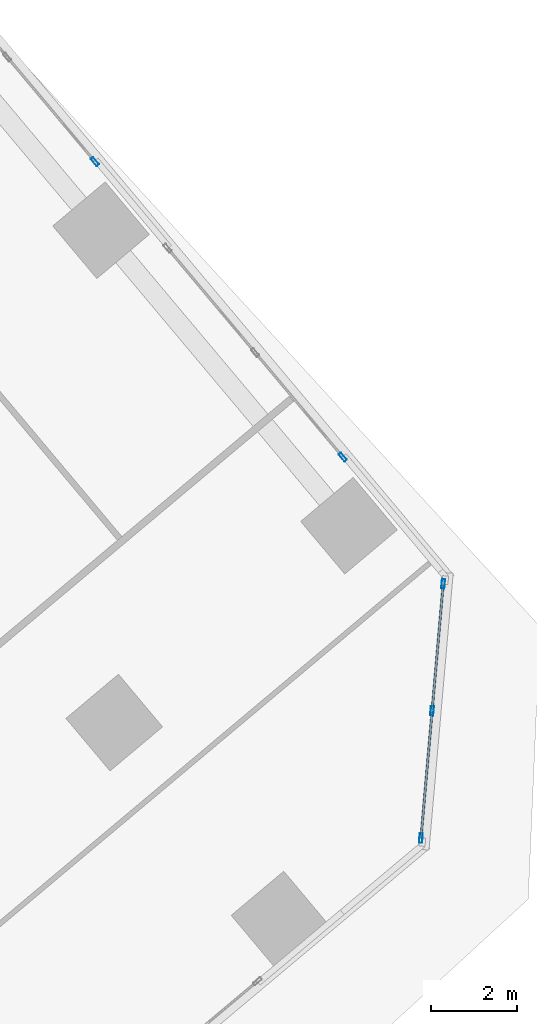
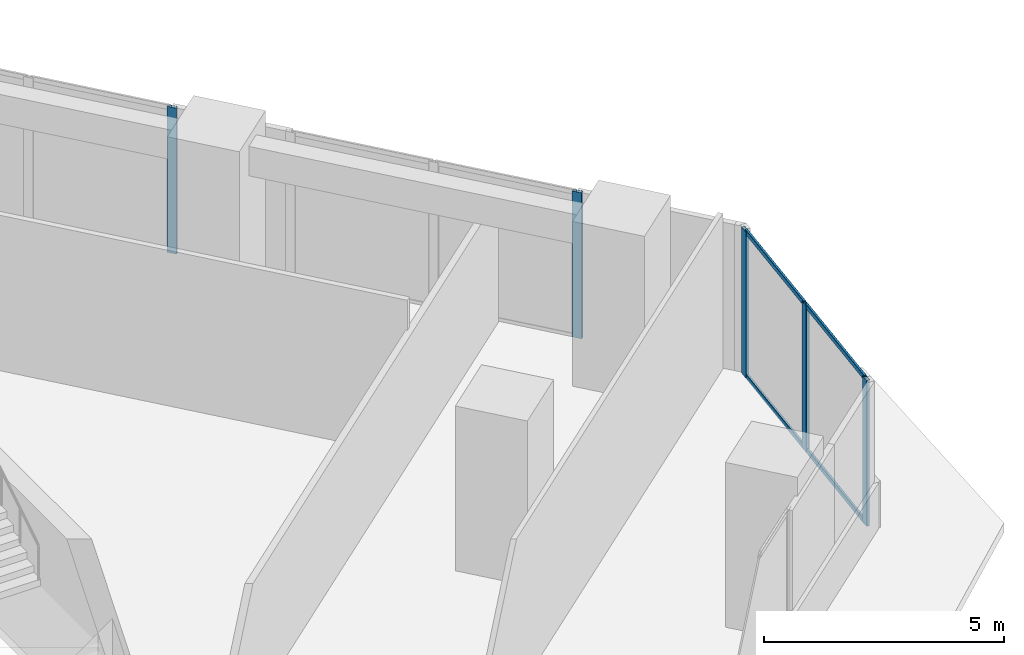
# One storey, part 6 of 17: 9 members, 3 elements without a shape of their own.
"""IFC4 building model written with IfcOpenShell, lengths in metres."""

import ifcopenshell
import ifcopenshell.guid

model = None  # the IFC model being written
_history = None  # IfcOwnerHistory: only IFC2X3 demands one
_inside = {}  # id of a spatial element -> (the spatial element, [elements in it])
_under = {}  # id of a project, library or spatial element -> (it, [spatial elements below it])
_declared = {}  # id of a project -> (the project, [libraries it declares])
_typed = {}  # id of a type object -> (the type object, [elements of that type])
_made_of = {}  # id of a material, layer set ... -> (it, [elements and type objects made of it])


def new_model(schema):
    """Start an empty IFC model of exactly this schema.

    Asked for "IFC4X3", IfcOpenShell would pick the latest addendum, in which some entities
    have other attributes; the version numbers below select the first issue.
    IFC2X3 requires an IfcOwnerHistory on every rooted entity: one is made here for all.
    """
    global model, _history
    if schema == "IFC4X3":
        model = ifcopenshell.file(schema_version=(4, 3, 0, 0))
    else:
        model = ifcopenshell.file(schema=schema)
    _inside.clear()
    _under.clear()
    _declared.clear()
    _typed.clear()
    _made_of.clear()
    _history = None
    if model.schema == "IFC2X3":
        org = make("IfcOrganization", Name="unknown")
        user = make(
            "IfcPersonAndOrganization",
            ThePerson=make("IfcPerson", FamilyName="unknown"),
            TheOrganization=org,
        )
        app = make(
            "IfcApplication",
            ApplicationDeveloper=org,
            Version="unknown",
            ApplicationFullName="unknown",
            ApplicationIdentifier="unknown",
        )
        _history = make(
            "IfcOwnerHistory",
            OwningUser=user,
            OwningApplication=app,
            ChangeAction="ADDED",
            CreationDate=0,
        )
    return model


def make(cls, **values):
    """One entity of the class cls with the attributes given. An attribute that is None is left unset."""
    return model.create_entity(
        cls, **{name: value for name, value in values.items() if value is not None}
    )


def rooted(cls, **values):
    """An entity with a GlobalId (a new one), such as an element, a storey or a relation."""
    return make(cls, GlobalId=ifcopenshell.guid.new(), OwnerHistory=_history, **values)


def si_unit(unit_type, name, prefix=None):
    """IfcSIUnit, for example si_unit("LENGTHUNIT", "METRE", prefix="MILLI")."""
    return make("IfcSIUnit", UnitType=unit_type, Prefix=prefix, Name=name)


def assignment(units):
    """IfcUnitAssignment: the units of a project."""
    return None if units is None else make("IfcUnitAssignment", Units=units)


def point(xyz):
    """IfcCartesianPoint."""
    return None if xyz is None else make("IfcCartesianPoint", Coordinates=xyz)


def direction(xyz):
    """IfcDirection."""
    return None if xyz is None else make("IfcDirection", DirectionRatios=xyz)


def frame(location, z_axis=None, x_axis=None):
    """IfcAxis2Placement3D, a coordinate frame: its origin and axes. An axis left out is left unset."""
    return make(
        "IfcAxis2Placement3D",
        Location=point(location),
        Axis=direction(z_axis),
        RefDirection=direction(x_axis),
    )


def frame_2d(location, x_axis=None):
    """IfcAxis2Placement2D, a coordinate frame in the plane: its origin and x axis."""
    return make(
        "IfcAxis2Placement2D", Location=point(location), RefDirection=direction(x_axis)
    )


def origin():
    """The frame at (0, 0, 0) with its axes left unset."""
    return frame((0.0, 0.0, 0.0))


def origin_2d():
    """The frame at (0, 0) in the plane with its x axis left unset."""
    return frame_2d((0.0, 0.0))


def place(relative_to, where):
    """IfcLocalPlacement: puts the frame where relative to a parent placement (None: the world)."""
    return make(
        "IfcLocalPlacement", PlacementRelTo=relative_to, RelativePlacement=where
    )


def context(
    kind, dimensions, precision=None, world=None, true_north=None, identifier=None
):
    """IfcGeometricRepresentationContext, for example the 3D "Model" context."""
    return make(
        "IfcGeometricRepresentationContext",
        ContextIdentifier=identifier,
        ContextType=kind,
        CoordinateSpaceDimension=dimensions,
        Precision=precision,
        WorldCoordinateSystem=world,
        TrueNorth=true_north,
    )


def subcontext(parent, identifier, kind, view, scale=None):
    """IfcGeometricRepresentationSubContext, for example "Body" below "Model"."""
    return make(
        "IfcGeometricRepresentationSubContext",
        ContextIdentifier=identifier,
        ContextType=kind,
        ParentContext=parent,
        TargetScale=scale,
        TargetView=view,
    )


def project(units=None, contexts=None):
    """IfcProject with its units and contexts."""
    return rooted(
        "IfcProject",
        Name="project",
        RepresentationContexts=contexts,
        UnitsInContext=assignment(units),
    )


def spatial(cls, under=None, at=None, **own):
    """A site, building, storey or space (cls), placed at a placement, below another one or the project."""
    s = rooted(cls, ObjectPlacement=at, **own)
    if under is not None:
        _under.setdefault(under.id(), (under, []))[1].append(s)
    return s


def profile(cls, at=None, kind="AREA", **sizes):
    """A parametric profile (cls). Its sizes go by their IFC names, for example OverallWidth=200.0."""
    return make(cls, ProfileType=kind, Position=at, **sizes)


def hollow_rectangle(**sizes):
    """IfcRectangleHollowProfileDef."""
    return profile("IfcRectangleHollowProfileDef", **sizes)


def extrude(swept, where, along, depth):
    """IfcExtrudedAreaSolid: the profile swept, set in the frame where, extruded along a direction by depth."""
    return make(
        "IfcExtrudedAreaSolid",
        SweptArea=swept,
        Position=where,
        ExtrudedDirection=direction(along),
        Depth=depth,
    )


def shape(context_of_items, identifier, shape_type, items):
    """IfcShapeRepresentation: the items that make up one representation, for example the "Body"."""
    return make(
        "IfcShapeRepresentation",
        ContextOfItems=context_of_items,
        RepresentationIdentifier=identifier,
        RepresentationType=shape_type,
        Items=items,
    )


def source(mapping_origin, context_of_items, identifier, shape_type, items):
    """IfcRepresentationMap: a shape defined once, which mapped items show again and again."""
    return make(
        "IfcRepresentationMap",
        MappingOrigin=mapping_origin,
        MappedRepresentation=shape(context_of_items, identifier, shape_type, items),
    )


def transform(
    local_origin,
    x_axis=None,
    y_axis=None,
    z_axis=None,
    scale=None,
    scale2=None,
    scale3=None,
    uniform=True,
):
    """IfcCartesianTransformationOperator3D, or its non-uniform kind. x_axis, y_axis, z_axis: its Axis1, 2, 3."""
    if uniform:
        return make(
            "IfcCartesianTransformationOperator3D",
            Axis1=direction(x_axis),
            Axis2=direction(y_axis),
            LocalOrigin=point(local_origin),
            Scale=scale,
            Axis3=direction(z_axis),
        )
    return make(
        "IfcCartesianTransformationOperator3DnonUniform",
        Axis1=direction(x_axis),
        Axis2=direction(y_axis),
        LocalOrigin=point(local_origin),
        Scale=scale,
        Axis3=direction(z_axis),
        Scale2=scale2,
        Scale3=scale3,
    )


def mapped(mapping_source, mapping_target):
    """IfcMappedItem: shows the shape of a source again, moved by a transform."""
    return make(
        "IfcMappedItem", MappingSource=mapping_source, MappingTarget=mapping_target
    )


def material(Name=None, Category=None):
    """IfcMaterial."""
    return make("IfcMaterial", Name=Name, Category=Category)


def material_profile(
    of_material, cross_section, Name=None, Category=None, Priority=None
):
    """IfcMaterialProfile: a cross section and its material."""
    return make(
        "IfcMaterialProfile",
        Name=Name,
        Material=of_material,
        Profile=cross_section,
        Priority=Priority,
        Category=Category,
    )


def profile_set(profiles, Name=None, composite=None):
    """IfcMaterialProfileSet."""
    return make(
        "IfcMaterialProfileSet",
        Name=Name,
        MaterialProfiles=profiles,
        CompositeProfile=composite,
    )


def made_of(thing, what):
    """Note that an element or type object is made of a material, layer set ...; save() writes the relation."""
    if what is not None:
        _made_of.setdefault(what.id(), (what, []))[1].append(thing)
    return thing


def type_object(cls, material=None, **own):
    """A type object (cls), such as IfcWallType, which elements share."""
    return made_of(rooted(cls, **own), material)


def element(
    cls,
    number,
    at=None,
    inside=None,
    cuts=None,
    type_object=None,
    material=None,
    context=None,
    identifier="Body",
    shape_type=None,
    held_by="IfcProductDefinitionShape",
    body=None,
    shapes=None,
    **own,
):
    """One element of the class cls, such as IfcWall. Its Tag is "e" and its number.

    at: its placement. inside: the storey or other place that contains it. cuts: it is an
    opening in that element (IfcRelVoidsElement). A single representation is given by context,
    identifier, shape_type and body (its items); several are given by shapes. held_by: the class
    of the entity that holds the representations. save() writes the other relations.
    """
    e = rooted(cls, Tag="e%d" % number, ObjectPlacement=at, **own)
    if body is not None:
        shapes = [shape(context, identifier, shape_type, body)]
    if shapes is not None:
        e.Representation = make(held_by, Representations=shapes)
    if inside is not None:
        _inside.setdefault(inside.id(), (inside, []))[1].append(e)
    if cuts is not None:
        rooted(
            "IfcRelVoidsElement", RelatingBuildingElement=cuts, RelatedOpeningElement=e
        )
    if type_object is not None:
        _typed.setdefault(type_object.id(), (type_object, []))[1].append(e)
    return made_of(e, material)


def aggregate(whole, parts):
    """IfcRelAggregates: a whole, such as a stair, and the parts it consists of."""
    return rooted("IfcRelAggregates", RelatingObject=whole, RelatedObjects=parts)


def save(model, path):
    """Write the relations noted so far, then the file.

    IfcRelAggregates (storeys below a building ...), IfcRelContainedInSpatialStructure (elements
    in a storey), IfcRelDefinesByType, IfcRelAssociatesMaterial and IfcRelDeclares: one each for
    every whole, place, type object, material and project.
    """
    for whole, parts in _under.values():
        aggregate(whole, parts)
    for where, things in _inside.values():
        rooted(
            "IfcRelContainedInSpatialStructure",
            RelatedElements=things,
            RelatingStructure=where,
        )
    for kind, things in _typed.values():
        rooted("IfcRelDefinesByType", RelatedObjects=things, RelatingType=kind)
    for what, things in _made_of.values():
        rooted("IfcRelAssociatesMaterial", RelatedObjects=things, RelatingMaterial=what)
    for by, libraries in _declared.values():
        rooted("IfcRelDeclares", RelatingContext=by, RelatedDefinitions=libraries)
    model.write(path)


model = new_model("IFC4")

# Units and contexts
model_context = context("Model", 3, precision=1e-05, world=origin(), true_north=direction((0.0, 1.0)))
body_context = subcontext(model_context, "Body", "Model", "MODEL_VIEW")
ifc_project = project(units=[si_unit("LENGTHUNIT", "METRE"), si_unit("AREAUNIT", "SQUARE_METRE"), si_unit("VOLUMEUNIT", "CUBIC_METRE"), si_unit("PLANEANGLEUNIT", "RADIAN"), si_unit("MASSUNIT", "GRAM", prefix="KILO")], contexts=[model_context])

# Site, building, storey
site_placement = place(None, origin())
site = spatial("IfcSite", under=ifc_project, at=site_placement, CompositionType="ELEMENT")
building_placement = place(site_placement, origin())
building = spatial("IfcBuilding", under=site, at=building_placement, Name="Torre Montelarca", CompositionType="ELEMENT")
storey_placement = place(building_placement, frame((0.0, 0.0, 266.800048828125)))
storey = spatial("IfcBuildingStorey", under=building, at=storey_placement, Name="L60", CompositionType="ELEMENT", Elevation=266.800048828125)

# Curtain wall, members
ifc_material_1 = material(Name="Insulated low-E laminated glass", Category="glass")
curtain_wall_type = type_object("IfcCurtainWallType", Name="CW-SYS-Z3", PredefinedType="USERDEFINED", material=ifc_material_1)
curtain_wall_1_placement = place(storey_placement, origin())
curtain_wall_1 = element("IfcCurtainWall", 1, at=curtain_wall_1_placement, inside=storey, type_object=curtain_wall_type, Name="L60 Curtain Wall Run CW-T3-L60-E07-B1", ObjectType="UNITISED GLAZING", PredefinedType="USERDEFINED")
ifc_material_2 = material(Name="Anodised aluminium AA 6063-T6", Category="aluminium")
ifc_material_profile_1 = material_profile(ifc_material_2, hollow_rectangle(XDim=0.054931640625, YDim=0.1201171875, WallThickness=0.00341796875, InnerFilletRadius=0.00341796875, OuterFilletRadius=0.007080078125, at=origin_2d()), Name="ALU55X120X3.5", Category="aluminium")
ifc_profile_set_1 = profile_set([ifc_material_profile_1], Name="Anodised aluminium AA 6063-T6")
member_type_1 = type_object("IfcMemberType", Name="CWT-ALU120", PredefinedType="USERDEFINED", material=ifc_profile_set_1)
shared_shape_1 = source(origin(), body_context, "Body", "SweptSolid", [
    extrude(hollow_rectangle(XDim=0.054931640625, YDim=0.1201171875, WallThickness=0.00341796875, InnerFilletRadius=0.00341796875, OuterFilletRadius=0.007080078125, at=origin_2d()), origin(), (0.0, 0.0, 1.0), 2.903564453125),
])
member_1_placement = place(storey_placement, frame((44.10986328125, 23.378662109375, 0.02734375), z_axis=(0.087191982893, 0.996191526826, 0.0), x_axis=(-0.996191526826, 0.087191982893, 0.0)))
member_1 = element("IfcMember", 2, at=member_1_placement, type_object=member_type_1, Name="CW transom 1.1", ObjectType="TRANSOM", PredefinedType="USERDEFINED", context=body_context, shape_type="MappedRepresentation", body=[
    mapped(shared_shape_1, transform((0.0, 0.0, 0.0), scale=1.0)),
])
member_2_placement = place(storey_placement, frame((44.10986328125, 23.378662109375, 3.6923828125), z_axis=(0.087191982893, 0.996191526826, 0.0), x_axis=(-0.996191526826, 0.087191982893, 0.0)))
member_2 = element("IfcMember", 3, at=member_2_placement, type_object=member_type_1, Name="CW transom 1.2", ObjectType="TRANSOM", PredefinedType="USERDEFINED", context=body_context, shape_type="MappedRepresentation", body=[
    mapped(shared_shape_1, transform((0.0, 0.0, 0.0), scale=1.0)),
])
shared_shape_2 = source(origin(), body_context, "Body", "SweptSolid", [
    extrude(hollow_rectangle(XDim=0.054931640625, YDim=0.1201171875, WallThickness=0.00341796875, InnerFilletRadius=0.00341796875, OuterFilletRadius=0.007080078125, at=origin_2d()), origin(), (0.0, 0.0, 1.0), 2.9033203125),
])
member_3_placement = place(storey_placement, frame((44.369384765625, 26.345947265625, 0.02734375), z_axis=(0.08719928677, 0.996190887524, 0.0), x_axis=(-0.996190887524, 0.08719928677, 0.0)))
member_3 = element("IfcMember", 4, at=member_3_placement, type_object=member_type_1, Name="CW transom 2.1", ObjectType="TRANSOM", PredefinedType="USERDEFINED", context=body_context, shape_type="MappedRepresentation", body=[
    mapped(shared_shape_2, transform((0.0, 0.0, 0.0), scale=1.0)),
])
member_4_placement = place(storey_placement, frame((44.369384765625, 26.345947265625, 3.6923828125), z_axis=(0.08719928677, 0.996190887524, 0.0), x_axis=(-0.996190887524, 0.08719928677, 0.0)))
member_4 = element("IfcMember", 5, at=member_4_placement, type_object=member_type_1, Name="CW transom 2.2", ObjectType="TRANSOM", PredefinedType="USERDEFINED", context=body_context, shape_type="MappedRepresentation", body=[
    mapped(shared_shape_2, transform((0.0, 0.0, 0.0), scale=1.0)),
])
ifc_material_profile_2 = material_profile(ifc_material_2, hollow_rectangle(XDim=0.074951171875, YDim=0.219970703125, WallThickness=0.0048828125, InnerFilletRadius=0.0048828125, OuterFilletRadius=0.010009765625, at=origin_2d()), Name="ALU75X220X5", Category="aluminium")
ifc_profile_set_2 = profile_set([ifc_material_profile_2], Name="Anodised aluminium AA 6063-T6")
member_type_2 = type_object("IfcMemberType", Name="CWM-ALU220", PredefinedType="MULLION", material=ifc_profile_set_2)
shared_shape_3 = source(origin(), body_context, "Body", "SweptSolid", [
    extrude(hollow_rectangle(XDim=0.074951171875, YDim=0.219970703125, WallThickness=0.0048828125, InnerFilletRadius=0.0048828125, OuterFilletRadius=0.010009765625, at=origin_2d()), origin(), (0.0, 0.0, 1.0), 3.719970703125),
])
member_5_placement = place(storey_placement, frame((44.106689453125, 23.34130859375, 0.0), z_axis=(0.0, 0.0, 1.0), x_axis=(-0.996193789473, 0.087166127681, 0.0)))
member_5 = element("IfcMember", 6, at=member_5_placement, type_object=member_type_2, Name="CW mullion 1", PredefinedType="MULLION", context=body_context, shape_type="MappedRepresentation", body=[
    mapped(shared_shape_3, transform((0.0, 0.0, 0.0), scale=1.0)),
])
member_6_placement = place(storey_placement, frame((44.3662109375, 26.30859375, 0.0), z_axis=(0.0, 0.0, 1.0), x_axis=(-0.996193789473, 0.087166127681, 0.0)))
member_6 = element("IfcMember", 7, at=member_6_placement, type_object=member_type_2, Name="CW mullion 2", PredefinedType="MULLION", context=body_context, shape_type="MappedRepresentation", body=[
    mapped(shared_shape_3, transform((0.0, 0.0, 0.0), scale=1.0)),
])
member_7_placement = place(storey_placement, frame((44.625732421875, 29.275634765625, 0.0), z_axis=(0.0, 0.0, 1.0), x_axis=(-0.996193789473, 0.087166127681, 0.0)))
member_7 = element("IfcMember", 8, at=member_7_placement, type_object=member_type_2, Name="CW mullion 3", PredefinedType="MULLION", context=body_context, shape_type="MappedRepresentation", body=[
    mapped(shared_shape_3, transform((0.0, 0.0, 0.0), scale=1.0)),
])
aggregate(curtain_wall_1, [member_5, member_6, member_7, member_1, member_2, member_3, member_4])

# Curtain wall, member
curtain_wall_2_placement = place(storey_placement, origin())
curtain_wall_2 = element("IfcCurtainWall", 9, at=curtain_wall_2_placement, inside=storey, type_object=curtain_wall_type, Name="L60 Curtain Wall Run CW-T3-L60-E08-B1", ObjectType="UNITISED GLAZING", PredefinedType="USERDEFINED")
member_8_placement = place(storey_placement, frame((42.283935546875, 32.231201171875, 0.0), z_axis=(0.0, 0.0, 1.0), x_axis=(-0.766039106979, -0.642793968997, 0.0)))
member_8 = element("IfcMember", 10, at=member_8_placement, type_object=member_type_2, Name="CW mullion 1", PredefinedType="MULLION", context=body_context, shape_type="MappedRepresentation", body=[
    mapped(shared_shape_3, transform((0.0, 0.0, 0.0), scale=1.0)),
])
aggregate(curtain_wall_2, [member_8])

curtain_wall_3_placement = place(storey_placement, origin())
curtain_wall_3 = element("IfcCurtainWall", 11, at=curtain_wall_3_placement, inside=storey, type_object=curtain_wall_type, Name="L60 Curtain Wall Run CW-T3-L60-E08-B2", ObjectType="UNITISED GLAZING", PredefinedType="USERDEFINED")
member_9_placement = place(storey_placement, frame((36.498779296875, 39.125732421875, 0.0), z_axis=(0.0, 0.0, 1.0), x_axis=(-0.766039106979, -0.642793968997, 0.0)))
member_9 = element("IfcMember", 12, at=member_9_placement, type_object=member_type_2, Name="CW mullion 1", PredefinedType="MULLION", context=body_context, shape_type="MappedRepresentation", body=[
    mapped(shared_shape_3, transform((0.0, 0.0, 0.0), scale=1.0)),
])
aggregate(curtain_wall_3, [member_9])

save(model, "model.ifc")
